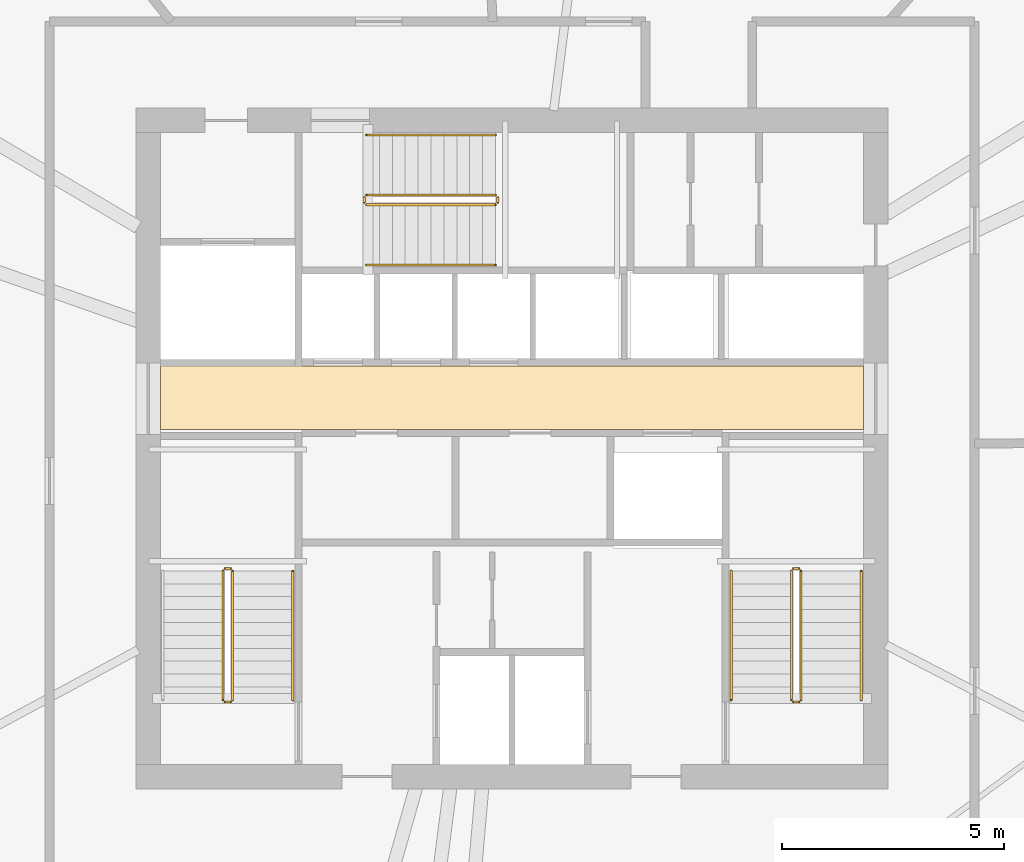
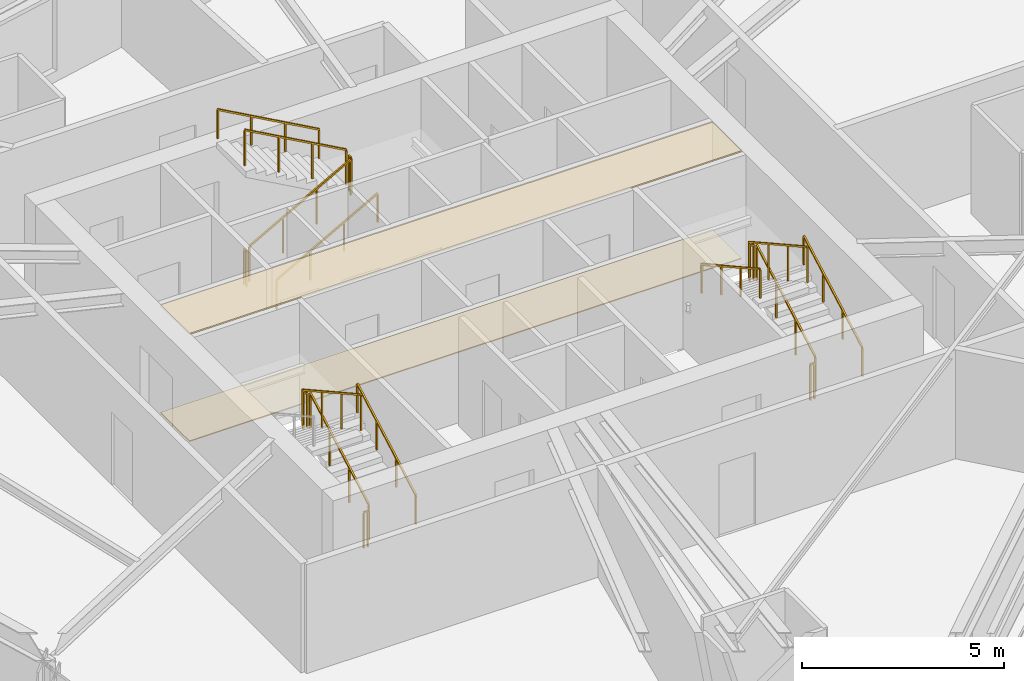
# One storey, part 13 of 15: 17 railings, 2 coverings.
"""IFC4 building model written with IfcOpenShell, lengths in metres."""

from ifc_helpers import new_model, si_unit, direction, frame, origin, origin_2d, place, context, subcontext, project, spatial, polyline, rectangle, outline, extrude, material, layer, layer_set, type_object, element, save


model = new_model("IFC4")

# Units and contexts
model_context = context("Model", 3, precision=1e-05, world=origin(), true_north=direction((0.0, 1.0)))
body_context = subcontext(model_context, "Body", "Model", "MODEL_VIEW")
ifc_project = project(units=[si_unit("LENGTHUNIT", "METRE"), si_unit("AREAUNIT", "SQUARE_METRE"), si_unit("VOLUMEUNIT", "CUBIC_METRE"), si_unit("PLANEANGLEUNIT", "RADIAN"), si_unit("MASSUNIT", "GRAM", prefix="KILO")], contexts=[model_context])

# Site, building, storey
site_placement = place(None, origin())
site = spatial("IfcSite", under=ifc_project, at=site_placement, CompositionType="ELEMENT")
building_placement = place(site_placement, origin())
building = spatial("IfcBuilding", under=site, at=building_placement, Name="Olszyna Solenne Hotel", CompositionType="ELEMENT")
storey_placement = place(building_placement, frame((0.0, 0.0, 150.14990234375)))
storey = spatial("IfcBuildingStorey", under=building, at=storey_placement, Name="L39", CompositionType="ELEMENT", Elevation=150.14990234375)

# Coverings
ifc_material_1 = material(Name="Mineral wool acoustic ceiling")
ifc_layer_1 = layer(ifc_material_1, 0.0400390625, Name="Mineral wool acoustic ceiling")
ifc_layer_set_1 = layer_set([ifc_layer_1], Name="Mineral wool acoustic ceiling")
covering_type_1 = type_object("IfcCoveringType", Name="CL-AC1", PredefinedType="CEILING", material=ifc_layer_set_1)
covering_1_placement = place(storey_placement, frame((0.0, 0.0, 3.239990234375)))
element("IfcCovering", 1, at=covering_1_placement, inside=storey, type_object=covering_type_1, Name="Lift lobby acoustic tile ceiling CL-L39-01", PredefinedType="CEILING", context=body_context, shape_type="SweptSolid", body=[
    extrude(outline(polyline([(30.10009765625, 27.030029296875), (45.89990234375, 27.030029296875), (45.89990234375, 28.4599609375), (30.10009765625, 28.4599609375), (30.10009765625, 27.030029296875)])), origin(), (0.0, 0.0, 1.0), 0.0400390625),
])
ifc_material_2 = material(Name="Ceramic floor tile")
ifc_layer_2 = layer(ifc_material_2, 0.030029296875, Name="Ceramic floor tile")
ifc_layer_set_2 = layer_set([ifc_layer_2], Name="Ceramic floor tile")
covering_type_2 = type_object("IfcCoveringType", Name="FL-TL1", PredefinedType="FLOORING", material=ifc_layer_set_2)
covering_2_placement = place(storey_placement, origin())
element("IfcCovering", 2, at=covering_2_placement, inside=storey, type_object=covering_type_2, Name="Lift lobby stoneware floor finish FLR-L39-01", PredefinedType="FLOORING", context=body_context, shape_type="SweptSolid", body=[
    extrude(outline(polyline([(30.10009765625, 27.030029296875), (45.89990234375, 27.030029296875), (45.89990234375, 28.4599609375), (30.10009765625, 28.4599609375), (30.10009765625, 27.030029296875)])), origin(), (0.0, 0.0, 1.0), 0.030029296875),
])

# Railings
ifc_material_3 = material(Name="Anodised bronze aluminium", Category="aluminium")
railing_type_1 = type_object("IfcRailingType", Name="GR-110", PredefinedType="BALUSTRADE", material=ifc_material_3)
railing_1_placement = place(storey_placement, frame((31.719970703125, 20.949951171875, 0.161376953125)))
element("IfcRailing", 3, at=railing_1_placement, inside=storey, type_object=railing_type_1, Name="L39 ST1 stair guard 1", PredefinedType="BALUSTRADE", context=body_context, shape_type="SweptSolid", body=[
    extrude(rectangle(XDim=0.048095703125, YDim=0.048095703125, at=origin_2d()), frame((0.0, 0.0, 1.076171875), z_axis=(0.0, 0.873827439584, 0.48623616261), x_axis=(-1.0, 0.0, 0.0)), (0.0, 0.0, 1.0), 3.31884765625),
    extrude(rectangle(XDim=0.0419921875, YDim=0.0419921875, at=origin_2d()), origin(), (0.0, 0.0, 1.0), 1.052001953125),
    extrude(rectangle(XDim=0.0419921875, YDim=0.0419921875, at=origin_2d()), frame((0.0, 0.966796875, 0.537841796875)), (0.0, 0.0, 1.0), 1.052001953125),
    extrude(rectangle(XDim=0.0419921875, YDim=0.0419921875, at=origin_2d()), frame((0.0, 1.933349609375, 1.075927734375)), (0.0, 0.0, 1.0), 1.052001953125),
    extrude(rectangle(XDim=0.0419921875, YDim=0.0419921875, at=origin_2d()), frame((0.0, 2.900146484375, 1.61376953125)), (0.0, 0.0, 1.0), 1.052001953125),
])
railing_2_placement = place(storey_placement, frame((31.669921875, 23.89990234375, 1.775146484375)))
element("IfcRailing", 4, at=railing_2_placement, inside=storey, type_object=railing_type_1, Name="L39 ST1 stair guard 2", PredefinedType="BALUSTRADE", context=body_context, shape_type="SweptSolid", body=[
    extrude(rectangle(XDim=0.048095703125, YDim=0.048095703125, at=origin_2d()), frame((0.0, 0.0, 1.076171875), z_axis=(-1.0, 0.0, 0.0), x_axis=(0.0, -1.0, 0.0)), (0.0, 0.0, 1.0), 0.119873046875),
    extrude(rectangle(XDim=0.0419921875, YDim=0.0419921875, at=origin_2d()), origin(), (0.0, 0.0, 1.0), 1.052001953125),
    extrude(rectangle(XDim=0.0419921875, YDim=0.0419921875, at=origin_2d()), frame((-0.119873046875, 0.0, 0.0)), (0.0, 0.0, 1.0), 1.052001953125),
])
railing_3_placement = place(storey_placement, frame((31.5, 23.85009765625, 1.9365234375)))
element("IfcRailing", 5, at=railing_3_placement, inside=storey, type_object=railing_type_1, Name="L39 ST1 stair guard 3", PredefinedType="BALUSTRADE", context=body_context, shape_type="SweptSolid", body=[
    extrude(rectangle(XDim=0.048095703125, YDim=0.048095703125, at=origin_2d()), frame((0.0, 0.0, 1.076171875), z_axis=(0.0, -0.873858693841, 0.486179990537), x_axis=(1.0, 0.0, 0.0)), (0.0, 0.0, 1.0), 3.31884765625),
    extrude(rectangle(XDim=0.0419921875, YDim=0.0419921875, at=origin_2d()), origin(), (0.0, 0.0, 1.0), 1.052001953125),
    extrude(rectangle(XDim=0.0419921875, YDim=0.0419921875, at=origin_2d()), frame((0.0, -0.966796875, 0.537841796875)), (0.0, 0.0, 1.0), 1.052001953125),
    extrude(rectangle(XDim=0.0419921875, YDim=0.0419921875, at=origin_2d()), frame((0.0, -1.933349609375, 1.07568359375)), (0.0, 0.0, 1.0), 1.052001953125),
    extrude(rectangle(XDim=0.0419921875, YDim=0.0419921875, at=origin_2d()), frame((0.0, -2.900146484375, 1.613525390625)), (0.0, 0.0, 1.0), 1.052001953125),
])
railing_4_placement = place(storey_placement, frame((31.669921875, 20.89990234375, 0.0)))
element("IfcRailing", 6, at=railing_4_placement, inside=storey, type_object=railing_type_1, Name="L39 ST1 stair guard 4", PredefinedType="BALUSTRADE", context=body_context, shape_type="SweptSolid", body=[
    extrude(rectangle(XDim=0.048095703125, YDim=0.048095703125, at=origin_2d()), frame((0.0, 0.0, 1.076171875), z_axis=(-1.0, 0.0, 0.0), x_axis=(0.0, -1.0, 0.0)), (0.0, 0.0, 1.0), 0.119873046875),
    extrude(rectangle(XDim=0.0419921875, YDim=0.0419921875, at=origin_2d()), origin(), (0.0, 0.0, 1.0), 1.052001953125),
    extrude(rectangle(XDim=0.0419921875, YDim=0.0419921875, at=origin_2d()), frame((-0.119873046875, 0.0, 0.0)), (0.0, 0.0, 1.0), 1.052001953125),
])
railing_5_placement = place(storey_placement, frame((44.5, 20.949951171875, 0.161376953125)))
element("IfcRailing", 7, at=railing_5_placement, inside=storey, type_object=railing_type_1, Name="L39 ST2 stair guard 1", PredefinedType="BALUSTRADE", context=body_context, shape_type="SweptSolid", body=[
    extrude(rectangle(XDim=0.048095703125, YDim=0.048095703125, at=origin_2d()), frame((0.0, 0.0, 1.076171875), z_axis=(0.0, 0.873827439584, 0.48623616261), x_axis=(-1.0, 0.0, 0.0)), (0.0, 0.0, 1.0), 3.31884765625),
    extrude(rectangle(XDim=0.0419921875, YDim=0.0419921875, at=origin_2d()), origin(), (0.0, 0.0, 1.0), 1.052001953125),
    extrude(rectangle(XDim=0.0419921875, YDim=0.0419921875, at=origin_2d()), frame((0.0, 0.966796875, 0.537841796875)), (0.0, 0.0, 1.0), 1.052001953125),
    extrude(rectangle(XDim=0.0419921875, YDim=0.0419921875, at=origin_2d()), frame((0.0, 1.933349609375, 1.075927734375)), (0.0, 0.0, 1.0), 1.052001953125),
    extrude(rectangle(XDim=0.0419921875, YDim=0.0419921875, at=origin_2d()), frame((0.0, 2.900146484375, 1.61376953125)), (0.0, 0.0, 1.0), 1.052001953125),
])
railing_6_placement = place(storey_placement, frame((44.449951171875, 23.89990234375, 1.775146484375)))
element("IfcRailing", 8, at=railing_6_placement, inside=storey, type_object=railing_type_1, Name="L39 ST2 stair guard 2", PredefinedType="BALUSTRADE", context=body_context, shape_type="SweptSolid", body=[
    extrude(rectangle(XDim=0.048095703125, YDim=0.048095703125, at=origin_2d()), frame((0.0, 0.0, 1.076171875), z_axis=(-1.0, 0.0, 0.0), x_axis=(0.0, -1.0, 0.0)), (0.0, 0.0, 1.0), 0.119873046875),
    extrude(rectangle(XDim=0.0419921875, YDim=0.0419921875, at=origin_2d()), origin(), (0.0, 0.0, 1.0), 1.052001953125),
    extrude(rectangle(XDim=0.0419921875, YDim=0.0419921875, at=origin_2d()), frame((-0.119873046875, 0.0, 0.0)), (0.0, 0.0, 1.0), 1.052001953125),
])
railing_7_placement = place(storey_placement, frame((44.280029296875, 23.85009765625, 1.9365234375)))
element("IfcRailing", 9, at=railing_7_placement, inside=storey, type_object=railing_type_1, Name="L39 ST2 stair guard 3", PredefinedType="BALUSTRADE", context=body_context, shape_type="SweptSolid", body=[
    extrude(rectangle(XDim=0.048095703125, YDim=0.048095703125, at=origin_2d()), frame((0.0, 0.0, 1.076171875), z_axis=(0.0, -0.873858693841, 0.486179990537), x_axis=(1.0, 0.0, 0.0)), (0.0, 0.0, 1.0), 3.31884765625),
    extrude(rectangle(XDim=0.0419921875, YDim=0.0419921875, at=origin_2d()), origin(), (0.0, 0.0, 1.0), 1.052001953125),
    extrude(rectangle(XDim=0.0419921875, YDim=0.0419921875, at=origin_2d()), frame((0.0, -0.966796875, 0.537841796875)), (0.0, 0.0, 1.0), 1.052001953125),
    extrude(rectangle(XDim=0.0419921875, YDim=0.0419921875, at=origin_2d()), frame((0.0, -1.933349609375, 1.07568359375)), (0.0, 0.0, 1.0), 1.052001953125),
    extrude(rectangle(XDim=0.0419921875, YDim=0.0419921875, at=origin_2d()), frame((0.0, -2.900146484375, 1.613525390625)), (0.0, 0.0, 1.0), 1.052001953125),
])
railing_8_placement = place(storey_placement, frame((44.449951171875, 20.89990234375, 0.0)))
element("IfcRailing", 10, at=railing_8_placement, inside=storey, type_object=railing_type_1, Name="L39 ST2 stair guard 4", PredefinedType="BALUSTRADE", context=body_context, shape_type="SweptSolid", body=[
    extrude(rectangle(XDim=0.048095703125, YDim=0.048095703125, at=origin_2d()), frame((0.0, 0.0, 1.076171875), z_axis=(-1.0, 0.0, 0.0), x_axis=(0.0, -1.0, 0.0)), (0.0, 0.0, 1.0), 0.119873046875),
    extrude(rectangle(XDim=0.0419921875, YDim=0.0419921875, at=origin_2d()), origin(), (0.0, 0.0, 1.0), 1.052001953125),
    extrude(rectangle(XDim=0.0419921875, YDim=0.0419921875, at=origin_2d()), frame((-0.119873046875, 0.0, 0.0)), (0.0, 0.0, 1.0), 1.052001953125),
])
railing_9_placement = place(storey_placement, frame((34.72998046875, 32.080078125, 0.161376953125)))
element("IfcRailing", 11, at=railing_9_placement, inside=storey, type_object=railing_type_1, Name="L39 ST3 stair guard 1", PredefinedType="BALUSTRADE", context=body_context, shape_type="SweptSolid", body=[
    extrude(rectangle(XDim=0.048095703125, YDim=0.048095703125, at=origin_2d()), frame((0.0, 0.0, 1.076171875), z_axis=(0.873810046276, 0.0, 0.486267419253), x_axis=(0.0, 1.0, 0.0)), (0.0, 0.0, 1.0), 3.318603515625),
    extrude(rectangle(XDim=0.0419921875, YDim=0.0419921875, at=origin_2d()), origin(), (0.0, 0.0, 1.0), 1.052001953125),
    extrude(rectangle(XDim=0.0419921875, YDim=0.0419921875, at=origin_2d()), frame((0.966552734375, 0.0, 0.537841796875)), (0.0, 0.0, 1.0), 1.052001953125),
    extrude(rectangle(XDim=0.0419921875, YDim=0.0419921875, at=origin_2d()), frame((1.933349609375, 0.0, 1.075927734375)), (0.0, 0.0, 1.0), 1.052001953125),
    extrude(rectangle(XDim=0.0419921875, YDim=0.0419921875, at=origin_2d()), frame((2.89990234375, 0.0, 1.61376953125)), (0.0, 0.0, 1.0), 1.052001953125),
])
railing_10_placement = place(storey_placement, frame((37.679931640625, 32.1298828125, 1.775146484375)))
element("IfcRailing", 12, at=railing_10_placement, inside=storey, type_object=railing_type_1, Name="L39 ST3 stair guard 2", PredefinedType="BALUSTRADE", context=body_context, shape_type="SweptSolid", body=[
    extrude(rectangle(XDim=0.048095703125, YDim=0.048095703125, at=origin_2d()), frame((0.0, 0.0, 1.076171875), z_axis=(0.0, 1.0, 0.0), x_axis=(-1.0, 0.0, 0.0)), (0.0, 0.0, 1.0), 0.1201171875),
    extrude(rectangle(XDim=0.0419921875, YDim=0.0419921875, at=origin_2d()), origin(), (0.0, 0.0, 1.0), 1.052001953125),
    extrude(rectangle(XDim=0.0419921875, YDim=0.0419921875, at=origin_2d()), frame((0.0, 0.1201171875, 0.0)), (0.0, 0.0, 1.0), 1.052001953125),
])
railing_11_placement = place(storey_placement, frame((37.6298828125, 32.300048828125, 1.9365234375)))
element("IfcRailing", 13, at=railing_11_placement, inside=storey, type_object=railing_type_1, Name="L39 ST3 stair guard 3", PredefinedType="BALUSTRADE", context=body_context, shape_type="SweptSolid", body=[
    extrude(rectangle(XDim=0.048095703125, YDim=0.048095703125, at=origin_2d()), frame((0.0, 0.0, 1.076171875), z_axis=(-0.873841303929, 0.0, 0.486211245805), x_axis=(0.0, -1.0, 0.0)), (0.0, 0.0, 1.0), 3.318603515625),
    extrude(rectangle(XDim=0.0419921875, YDim=0.0419921875, at=origin_2d()), origin(), (0.0, 0.0, 1.0), 1.052001953125),
    extrude(rectangle(XDim=0.0419921875, YDim=0.0419921875, at=origin_2d()), frame((-0.966552734375, 0.0, 0.537841796875)), (0.0, 0.0, 1.0), 1.052001953125),
    extrude(rectangle(XDim=0.0419921875, YDim=0.0419921875, at=origin_2d()), frame((-1.933349609375, 0.0, 1.07568359375)), (0.0, 0.0, 1.0), 1.052001953125),
    extrude(rectangle(XDim=0.0419921875, YDim=0.0419921875, at=origin_2d()), frame((-2.89990234375, 0.0, 1.613525390625)), (0.0, 0.0, 1.0), 1.052001953125),
])
railing_12_placement = place(storey_placement, frame((34.679931640625, 32.1298828125, 0.0)))
element("IfcRailing", 14, at=railing_12_placement, inside=storey, type_object=railing_type_1, Name="L39 ST3 stair guard 4", PredefinedType="BALUSTRADE", context=body_context, shape_type="SweptSolid", body=[
    extrude(rectangle(XDim=0.048095703125, YDim=0.048095703125, at=origin_2d()), frame((0.0, 0.0, 1.076171875), z_axis=(0.0, 1.0, 0.0), x_axis=(-1.0, 0.0, 0.0)), (0.0, 0.0, 1.0), 0.1201171875),
    extrude(rectangle(XDim=0.0419921875, YDim=0.0419921875, at=origin_2d()), origin(), (0.0, 0.0, 1.0), 1.052001953125),
    extrude(rectangle(XDim=0.0419921875, YDim=0.0419921875, at=origin_2d()), frame((0.0, 0.1201171875, 0.0)), (0.0, 0.0, 1.0), 1.052001953125),
])
ifc_material_4 = material(Name="Steel S355J2", Category="steel")
railing_type_2 = type_object("IfcRailingType", Name="HR-090", PredefinedType="HANDRAIL", material=ifc_material_4)
for number, where, name in (
    (15, (33.070068359375, 20.949951171875, 0.161376953125), "L39 ST1 stair handrail 1"),
    (16, (45.85009765625, 20.949951171875, 0.161376953125), "L39 ST2 stair handrail 1"),
):
    element("IfcRailing", number, at=place(storey_placement, frame(where)), inside=storey, type_object=railing_type_2, Name=name, PredefinedType="HANDRAIL", context=body_context, shape_type="SweptSolid", body=[
        extrude(rectangle(XDim=0.048095703125, YDim=0.048095703125, at=origin_2d()), frame((0.0, 0.0, 0.8759765625), z_axis=(0.0, 0.873827439584, 0.48623616261), x_axis=(-1.0, 0.0, 0.0)), (0.0, 0.0, 1.0), 3.31884765625),
        extrude(rectangle(XDim=0.0419921875, YDim=0.0419921875, at=origin_2d()), origin(), (0.0, 0.0, 1.0), 0.851806640625),
        extrude(rectangle(XDim=0.0419921875, YDim=0.0419921875, at=origin_2d()), frame((0.0, 0.966796875, 0.537841796875)), (0.0, 0.0, 1.0), 0.851806640625),
        extrude(rectangle(XDim=0.0419921875, YDim=0.0419921875, at=origin_2d()), frame((0.0, 1.933349609375, 1.075927734375)), (0.0, 0.0, 1.0), 0.851806640625),
        extrude(rectangle(XDim=0.0419921875, YDim=0.0419921875, at=origin_2d()), frame((0.0, 2.900146484375, 1.61376953125)), (0.0, 0.0, 1.0), 0.851806640625),
    ])
railing_13_placement = place(storey_placement, frame((42.929931640625, 23.85009765625, 1.9365234375)))
element("IfcRailing", 17, at=railing_13_placement, inside=storey, type_object=railing_type_2, Name="L39 ST2 stair handrail 2", PredefinedType="HANDRAIL", context=body_context, shape_type="SweptSolid", body=[
    extrude(rectangle(XDim=0.048095703125, YDim=0.048095703125, at=origin_2d()), frame((0.0, 0.0, 0.8759765625), z_axis=(0.0, -0.873858693841, 0.486179990537), x_axis=(1.0, 0.0, 0.0)), (0.0, 0.0, 1.0), 3.31884765625),
    extrude(rectangle(XDim=0.0419921875, YDim=0.0419921875, at=origin_2d()), origin(), (0.0, 0.0, 1.0), 0.851806640625),
    extrude(rectangle(XDim=0.0419921875, YDim=0.0419921875, at=origin_2d()), frame((0.0, -0.966796875, 0.537841796875)), (0.0, 0.0, 1.0), 0.851806640625),
    extrude(rectangle(XDim=0.0419921875, YDim=0.0419921875, at=origin_2d()), frame((0.0, -1.933349609375, 1.07568359375)), (0.0, 0.0, 1.0), 0.851806640625),
    extrude(rectangle(XDim=0.0419921875, YDim=0.0419921875, at=origin_2d()), frame((0.0, -2.900146484375, 1.613525390625)), (0.0, 0.0, 1.0), 0.851806640625),
])
railing_14_placement = place(storey_placement, frame((34.72998046875, 30.72998046875, 0.161376953125)))
element("IfcRailing", 18, at=railing_14_placement, inside=storey, type_object=railing_type_2, Name="L39 ST3 stair handrail 1", PredefinedType="HANDRAIL", context=body_context, shape_type="SweptSolid", body=[
    extrude(rectangle(XDim=0.048095703125, YDim=0.048095703125, at=origin_2d()), frame((0.0, 0.0, 0.8759765625), z_axis=(0.873810046276, 0.0, 0.486267419253), x_axis=(0.0, 1.0, 0.0)), (0.0, 0.0, 1.0), 3.318603515625),
    extrude(rectangle(XDim=0.0419921875, YDim=0.0419921875, at=origin_2d()), origin(), (0.0, 0.0, 1.0), 0.851806640625),
    extrude(rectangle(XDim=0.0419921875, YDim=0.0419921875, at=origin_2d()), frame((0.966552734375, 0.0, 0.537841796875)), (0.0, 0.0, 1.0), 0.851806640625),
    extrude(rectangle(XDim=0.0419921875, YDim=0.0419921875, at=origin_2d()), frame((1.933349609375, 0.0, 1.075927734375)), (0.0, 0.0, 1.0), 0.851806640625),
    extrude(rectangle(XDim=0.0419921875, YDim=0.0419921875, at=origin_2d()), frame((2.89990234375, 0.0, 1.61376953125)), (0.0, 0.0, 1.0), 0.851806640625),
])
railing_15_placement = place(storey_placement, frame((37.6298828125, 33.64990234375, 1.9365234375)))
element("IfcRailing", 19, at=railing_15_placement, inside=storey, type_object=railing_type_2, Name="L39 ST3 stair handrail 2", PredefinedType="HANDRAIL", context=body_context, shape_type="SweptSolid", body=[
    extrude(rectangle(XDim=0.048095703125, YDim=0.048095703125, at=origin_2d()), frame((0.0, 0.0, 0.8759765625), z_axis=(-0.873841303929, 0.0, 0.486211245805), x_axis=(0.0, -1.0, 0.0)), (0.0, 0.0, 1.0), 3.318603515625),
    extrude(rectangle(XDim=0.0419921875, YDim=0.0419921875, at=origin_2d()), origin(), (0.0, 0.0, 1.0), 0.851806640625),
    extrude(rectangle(XDim=0.0419921875, YDim=0.0419921875, at=origin_2d()), frame((-0.966552734375, 0.0, 0.537841796875)), (0.0, 0.0, 1.0), 0.851806640625),
    extrude(rectangle(XDim=0.0419921875, YDim=0.0419921875, at=origin_2d()), frame((-1.933349609375, 0.0, 1.07568359375)), (0.0, 0.0, 1.0), 0.851806640625),
    extrude(rectangle(XDim=0.0419921875, YDim=0.0419921875, at=origin_2d()), frame((-2.89990234375, 0.0, 1.613525390625)), (0.0, 0.0, 1.0), 0.851806640625),
])

save(model, "model.ifc")
